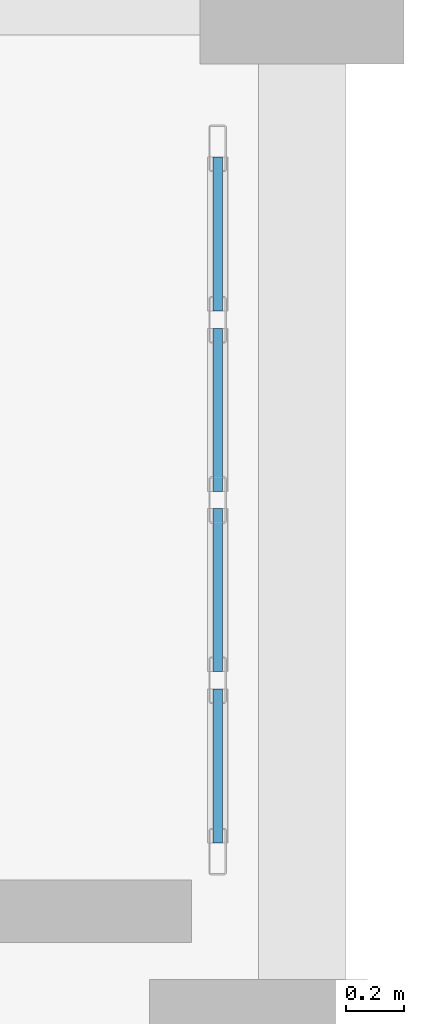
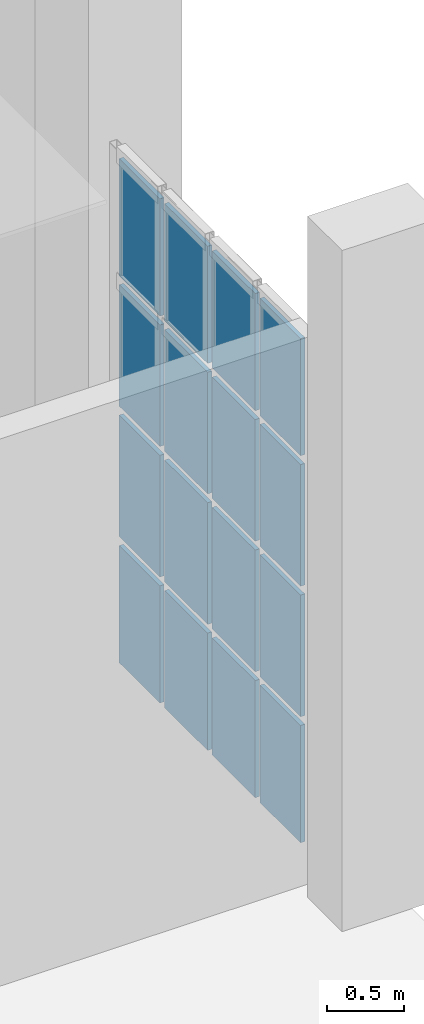
# One storey, part 346 of 372: 16 plates, 1 element without a shape of its own.
"""IFC4 building model written with IfcOpenShell, lengths in metres."""

import ifcopenshell
import ifcopenshell.guid

model = None  # the IFC model being written
_history = None  # IfcOwnerHistory: only IFC2X3 demands one
_inside = {}  # id of a spatial element -> (the spatial element, [elements in it])
_under = {}  # id of a project, library or spatial element -> (it, [spatial elements below it])
_declared = {}  # id of a project -> (the project, [libraries it declares])
_typed = {}  # id of a type object -> (the type object, [elements of that type])
_made_of = {}  # id of a material, layer set ... -> (it, [elements and type objects made of it])


def new_model(schema):
    """Start an empty IFC model of exactly this schema.

    Asked for "IFC4X3", IfcOpenShell would pick the latest addendum, in which some entities
    have other attributes; the version numbers below select the first issue.
    IFC2X3 requires an IfcOwnerHistory on every rooted entity: one is made here for all.
    """
    global model, _history
    if schema == "IFC4X3":
        model = ifcopenshell.file(schema_version=(4, 3, 0, 0))
    else:
        model = ifcopenshell.file(schema=schema)
    _inside.clear()
    _under.clear()
    _declared.clear()
    _typed.clear()
    _made_of.clear()
    _history = None
    if model.schema == "IFC2X3":
        org = make("IfcOrganization", Name="unknown")
        user = make(
            "IfcPersonAndOrganization",
            ThePerson=make("IfcPerson", FamilyName="unknown"),
            TheOrganization=org,
        )
        app = make(
            "IfcApplication",
            ApplicationDeveloper=org,
            Version="unknown",
            ApplicationFullName="unknown",
            ApplicationIdentifier="unknown",
        )
        _history = make(
            "IfcOwnerHistory",
            OwningUser=user,
            OwningApplication=app,
            ChangeAction="ADDED",
            CreationDate=0,
        )
    return model


def make(cls, **values):
    """One entity of the class cls with the attributes given. An attribute that is None is left unset."""
    return model.create_entity(
        cls, **{name: value for name, value in values.items() if value is not None}
    )


def rooted(cls, **values):
    """An entity with a GlobalId (a new one), such as an element, a storey or a relation."""
    return make(cls, GlobalId=ifcopenshell.guid.new(), OwnerHistory=_history, **values)


def si_unit(unit_type, name, prefix=None):
    """IfcSIUnit, for example si_unit("LENGTHUNIT", "METRE", prefix="MILLI")."""
    return make("IfcSIUnit", UnitType=unit_type, Prefix=prefix, Name=name)


def assignment(units):
    """IfcUnitAssignment: the units of a project."""
    return None if units is None else make("IfcUnitAssignment", Units=units)


def point(xyz):
    """IfcCartesianPoint."""
    return None if xyz is None else make("IfcCartesianPoint", Coordinates=xyz)


def direction(xyz):
    """IfcDirection."""
    return None if xyz is None else make("IfcDirection", DirectionRatios=xyz)


def frame(location, z_axis=None, x_axis=None):
    """IfcAxis2Placement3D, a coordinate frame: its origin and axes. An axis left out is left unset."""
    return make(
        "IfcAxis2Placement3D",
        Location=point(location),
        Axis=direction(z_axis),
        RefDirection=direction(x_axis),
    )


def frame_2d(location, x_axis=None):
    """IfcAxis2Placement2D, a coordinate frame in the plane: its origin and x axis."""
    return make(
        "IfcAxis2Placement2D", Location=point(location), RefDirection=direction(x_axis)
    )


def origin():
    """The frame at (0, 0, 0) with its axes left unset."""
    return frame((0.0, 0.0, 0.0))


def origin_2d():
    """The frame at (0, 0) in the plane with its x axis left unset."""
    return frame_2d((0.0, 0.0))


def place(relative_to, where):
    """IfcLocalPlacement: puts the frame where relative to a parent placement (None: the world)."""
    return make(
        "IfcLocalPlacement", PlacementRelTo=relative_to, RelativePlacement=where
    )


def context(
    kind, dimensions, precision=None, world=None, true_north=None, identifier=None
):
    """IfcGeometricRepresentationContext, for example the 3D "Model" context."""
    return make(
        "IfcGeometricRepresentationContext",
        ContextIdentifier=identifier,
        ContextType=kind,
        CoordinateSpaceDimension=dimensions,
        Precision=precision,
        WorldCoordinateSystem=world,
        TrueNorth=true_north,
    )


def subcontext(parent, identifier, kind, view, scale=None):
    """IfcGeometricRepresentationSubContext, for example "Body" below "Model"."""
    return make(
        "IfcGeometricRepresentationSubContext",
        ContextIdentifier=identifier,
        ContextType=kind,
        ParentContext=parent,
        TargetScale=scale,
        TargetView=view,
    )


def project(units=None, contexts=None):
    """IfcProject with its units and contexts."""
    return rooted(
        "IfcProject",
        Name="project",
        RepresentationContexts=contexts,
        UnitsInContext=assignment(units),
    )


def spatial(cls, under=None, at=None, **own):
    """A site, building, storey or space (cls), placed at a placement, below another one or the project."""
    s = rooted(cls, ObjectPlacement=at, **own)
    if under is not None:
        _under.setdefault(under.id(), (under, []))[1].append(s)
    return s


def profile(cls, at=None, kind="AREA", **sizes):
    """A parametric profile (cls). Its sizes go by their IFC names, for example OverallWidth=200.0."""
    return make(cls, ProfileType=kind, Position=at, **sizes)


def rectangle(**sizes):
    """IfcRectangleProfileDef."""
    return profile("IfcRectangleProfileDef", **sizes)


def extrude(swept, where, along, depth):
    """IfcExtrudedAreaSolid: the profile swept, set in the frame where, extruded along a direction by depth."""
    return make(
        "IfcExtrudedAreaSolid",
        SweptArea=swept,
        Position=where,
        ExtrudedDirection=direction(along),
        Depth=depth,
    )


def shape(context_of_items, identifier, shape_type, items):
    """IfcShapeRepresentation: the items that make up one representation, for example the "Body"."""
    return make(
        "IfcShapeRepresentation",
        ContextOfItems=context_of_items,
        RepresentationIdentifier=identifier,
        RepresentationType=shape_type,
        Items=items,
    )


def material(Name=None, Category=None):
    """IfcMaterial."""
    return make("IfcMaterial", Name=Name, Category=Category)


def layer(
    of_material, thickness, ventilated=None, Name=None, Category=None, Priority=None
):
    """IfcMaterialLayer: one layer of a wall or slab, of a material (None: an air gap)."""
    return make(
        "IfcMaterialLayer",
        Material=of_material,
        LayerThickness=thickness,
        IsVentilated=ventilated,
        Name=Name,
        Category=Category,
        Priority=Priority,
    )


def layer_set(layers, Name=None):
    """IfcMaterialLayerSet."""
    return make("IfcMaterialLayerSet", MaterialLayers=layers, LayerSetName=Name)


def made_of(thing, what):
    """Note that an element or type object is made of a material, layer set ...; save() writes the relation."""
    if what is not None:
        _made_of.setdefault(what.id(), (what, []))[1].append(thing)
    return thing


def type_object(cls, material=None, **own):
    """A type object (cls), such as IfcWallType, which elements share."""
    return made_of(rooted(cls, **own), material)


def element(
    cls,
    number,
    at=None,
    inside=None,
    cuts=None,
    type_object=None,
    material=None,
    context=None,
    identifier="Body",
    shape_type=None,
    held_by="IfcProductDefinitionShape",
    body=None,
    shapes=None,
    **own,
):
    """One element of the class cls, such as IfcWall. Its Tag is "e" and its number.

    at: its placement. inside: the storey or other place that contains it. cuts: it is an
    opening in that element (IfcRelVoidsElement). A single representation is given by context,
    identifier, shape_type and body (its items); several are given by shapes. held_by: the class
    of the entity that holds the representations. save() writes the other relations.
    """
    e = rooted(cls, Tag="e%d" % number, ObjectPlacement=at, **own)
    if body is not None:
        shapes = [shape(context, identifier, shape_type, body)]
    if shapes is not None:
        e.Representation = make(held_by, Representations=shapes)
    if inside is not None:
        _inside.setdefault(inside.id(), (inside, []))[1].append(e)
    if cuts is not None:
        rooted(
            "IfcRelVoidsElement", RelatingBuildingElement=cuts, RelatedOpeningElement=e
        )
    if type_object is not None:
        _typed.setdefault(type_object.id(), (type_object, []))[1].append(e)
    return made_of(e, material)


def aggregate(whole, parts):
    """IfcRelAggregates: a whole, such as a stair, and the parts it consists of."""
    return rooted("IfcRelAggregates", RelatingObject=whole, RelatedObjects=parts)


def save(model, path):
    """Write the relations noted so far, then the file.

    IfcRelAggregates (storeys below a building ...), IfcRelContainedInSpatialStructure (elements
    in a storey), IfcRelDefinesByType, IfcRelAssociatesMaterial and IfcRelDeclares: one each for
    every whole, place, type object, material and project.
    """
    for whole, parts in _under.values():
        aggregate(whole, parts)
    for where, things in _inside.values():
        rooted(
            "IfcRelContainedInSpatialStructure",
            RelatedElements=things,
            RelatingStructure=where,
        )
    for kind, things in _typed.values():
        rooted("IfcRelDefinesByType", RelatedObjects=things, RelatingType=kind)
    for what, things in _made_of.values():
        rooted("IfcRelAssociatesMaterial", RelatedObjects=things, RelatingMaterial=what)
    for by, libraries in _declared.values():
        rooted("IfcRelDeclares", RelatingContext=by, RelatedDefinitions=libraries)
    model.write(path)


model = new_model("IFC4")

# Units and contexts
model_context = context("Model", 3, precision=1e-05, world=origin(), true_north=direction((0.0, 1.0)))
body_context = subcontext(model_context, "Body", "Model", "MODEL_VIEW")
ifc_project = project(units=[si_unit("LENGTHUNIT", "METRE"), si_unit("AREAUNIT", "SQUARE_METRE"), si_unit("VOLUMEUNIT", "CUBIC_METRE"), si_unit("PLANEANGLEUNIT", "RADIAN"), si_unit("MASSUNIT", "GRAM", prefix="KILO")], contexts=[model_context])

# Site, building, storey
site_placement = place(None, origin())
site = spatial("IfcSite", under=ifc_project, at=site_placement, CompositionType="ELEMENT")
building_placement = place(site_placement, origin())
building = spatial("IfcBuilding", under=site, at=building_placement, Name="Kaelora Sail Theatre", CompositionType="ELEMENT")
storey_placement = place(building_placement, origin())
storey = spatial("IfcBuildingStorey", under=building, at=storey_placement, Name="L00", CompositionType="ELEMENT", Elevation=0.0)

# Curtain wall, plates
ifc_material_1 = material(Name="Anodised aluminium and solar-control low-E IGU", Category="aluminium")
curtain_wall_type = type_object("IfcCurtainWallType", Name="ARC-CW-CW-FOY1", PredefinedType="NOTDEFINED", material=ifc_material_1)
curtain_wall_placement = place(storey_placement, origin())
curtain_wall = element("IfcCurtainWall", 1, at=curtain_wall_placement, inside=storey, type_object=curtain_wall_type, Name="Glazed Colonnade/Courtyard Curtain Wall COLE-E-L00-15", PredefinedType="NOTDEFINED")
ifc_material_2 = material(Name="Solar-control laminated low-E glass", Category="glass")
ifc_layer = layer(ifc_material_2, 0.031982421875)
ifc_layer_set = layer_set([ifc_layer], Name="Solar-control laminated low-E glass")
plate_type = type_object("IfcPlateType", Name="ARC-CW-PNL", PredefinedType="CURTAIN_PANEL", material=ifc_layer_set)
plate_1_placement = place(storey_placement, frame((163.2099609375, 65.699462890625, 0.070068359375), z_axis=(0.0, 0.0, 1.0), x_axis=(0.0, 1.0, 0.0)))
plate_1 = element("IfcPlate", 2, at=plate_1_placement, type_object=plate_type, Name="CW-FOY1 panel 1.1", PredefinedType="CURTAIN_PANEL", context=body_context, shape_type="SweptSolid", body=[
    extrude(rectangle(XDim=0.52880859375, YDim=0.031982421875, at=origin_2d()), origin(), (0.0, 0.0, 1.0), 0.92919921875),
])
plate_2_placement = place(storey_placement, frame((163.2099609375, 65.699462890625, 1.069091796875), z_axis=(0.0, 0.0, 1.0), x_axis=(0.0, 1.0, 0.0)))
plate_2 = element("IfcPlate", 3, at=plate_2_placement, type_object=plate_type, Name="CW-FOY1 panel 1.2", PredefinedType="CURTAIN_PANEL", context=body_context, shape_type="SweptSolid", body=[
    extrude(rectangle(XDim=0.52880859375, YDim=0.031982421875, at=origin_2d()), origin(), (0.0, 0.0, 1.0), 0.96435546875),
])
plate_3_placement = place(storey_placement, frame((163.2099609375, 65.699462890625, 2.103515625), z_axis=(0.0, 0.0, 1.0), x_axis=(0.0, 1.0, 0.0)))
plate_3 = element("IfcPlate", 4, at=plate_3_placement, type_object=plate_type, Name="CW-FOY1 panel 1.3", PredefinedType="CURTAIN_PANEL", context=body_context, shape_type="SweptSolid", body=[
    extrude(rectangle(XDim=0.52880859375, YDim=0.031982421875, at=origin_2d()), origin(), (0.0, 0.0, 1.0), 0.964111328125),
])
plate_4_placement = place(storey_placement, frame((163.2099609375, 65.699462890625, 3.1376953125), z_axis=(0.0, 0.0, 1.0), x_axis=(0.0, 1.0, 0.0)))
plate_4 = element("IfcPlate", 5, at=plate_4_placement, type_object=plate_type, Name="CW-FOY1 panel 1.4", PredefinedType="CURTAIN_PANEL", context=body_context, shape_type="SweptSolid", body=[
    extrude(rectangle(XDim=0.52880859375, YDim=0.031982421875, at=origin_2d()), origin(), (0.0, 0.0, 1.0), 0.92919921875),
])
plate_5_placement = place(storey_placement, frame((163.2099609375, 66.30322265625, 0.070068359375), z_axis=(0.0, 0.0, 1.0), x_axis=(0.0, 1.0, 0.0)))
plate_5 = element("IfcPlate", 6, at=plate_5_placement, type_object=plate_type, Name="CW-FOY1 panel 2.1", PredefinedType="CURTAIN_PANEL", context=body_context, shape_type="SweptSolid", body=[
    extrude(rectangle(XDim=0.558837890625, YDim=0.031982421875, at=origin_2d()), origin(), (0.0, 0.0, 1.0), 0.92919921875),
])
plate_6_placement = place(storey_placement, frame((163.2099609375, 66.30322265625, 1.069091796875), z_axis=(0.0, 0.0, 1.0), x_axis=(0.0, 1.0, 0.0)))
plate_6 = element("IfcPlate", 7, at=plate_6_placement, type_object=plate_type, Name="CW-FOY1 panel 2.2", PredefinedType="CURTAIN_PANEL", context=body_context, shape_type="SweptSolid", body=[
    extrude(rectangle(XDim=0.558837890625, YDim=0.031982421875, at=origin_2d()), origin(), (0.0, 0.0, 1.0), 0.96435546875),
])
plate_7_placement = place(storey_placement, frame((163.2099609375, 66.30322265625, 2.103515625), z_axis=(0.0, 0.0, 1.0), x_axis=(0.0, 1.0, 0.0)))
plate_7 = element("IfcPlate", 8, at=plate_7_placement, type_object=plate_type, Name="CW-FOY1 panel 2.3", PredefinedType="CURTAIN_PANEL", context=body_context, shape_type="SweptSolid", body=[
    extrude(rectangle(XDim=0.558837890625, YDim=0.031982421875, at=origin_2d()), origin(), (0.0, 0.0, 1.0), 0.964111328125),
])
plate_8_placement = place(storey_placement, frame((163.2099609375, 66.30322265625, 3.1376953125), z_axis=(0.0, 0.0, 1.0), x_axis=(0.0, 1.0, 0.0)))
plate_8 = element("IfcPlate", 9, at=plate_8_placement, type_object=plate_type, Name="CW-FOY1 panel 2.4", PredefinedType="CURTAIN_PANEL", context=body_context, shape_type="SweptSolid", body=[
    extrude(rectangle(XDim=0.558837890625, YDim=0.031982421875, at=origin_2d()), origin(), (0.0, 0.0, 1.0), 0.92919921875),
])
plate_9_placement = place(storey_placement, frame((163.2099609375, 66.921875, 0.070068359375), z_axis=(0.0, 0.0, 1.0), x_axis=(0.0, 1.0, 0.0)))
plate_9 = element("IfcPlate", 10, at=plate_9_placement, type_object=plate_type, Name="CW-FOY1 panel 3.1", PredefinedType="CURTAIN_PANEL", context=body_context, shape_type="SweptSolid", body=[
    extrude(rectangle(XDim=0.558837890625, YDim=0.031982421875, at=origin_2d()), origin(), (0.0, 0.0, 1.0), 0.92919921875),
])
plate_10_placement = place(storey_placement, frame((163.2099609375, 66.921875, 1.069091796875), z_axis=(0.0, 0.0, 1.0), x_axis=(0.0, 1.0, 0.0)))
plate_10 = element("IfcPlate", 11, at=plate_10_placement, type_object=plate_type, Name="CW-FOY1 panel 3.2", PredefinedType="CURTAIN_PANEL", context=body_context, shape_type="SweptSolid", body=[
    extrude(rectangle(XDim=0.558837890625, YDim=0.031982421875, at=origin_2d()), origin(), (0.0, 0.0, 1.0), 0.96435546875),
])
plate_11_placement = place(storey_placement, frame((163.2099609375, 66.921875, 2.103515625), z_axis=(0.0, 0.0, 1.0), x_axis=(0.0, 1.0, 0.0)))
plate_11 = element("IfcPlate", 12, at=plate_11_placement, type_object=plate_type, Name="CW-FOY1 panel 3.3", PredefinedType="CURTAIN_PANEL", context=body_context, shape_type="SweptSolid", body=[
    extrude(rectangle(XDim=0.558837890625, YDim=0.031982421875, at=origin_2d()), origin(), (0.0, 0.0, 1.0), 0.964111328125),
])
plate_12_placement = place(storey_placement, frame((163.2099609375, 66.921875, 3.1376953125), z_axis=(0.0, 0.0, 1.0), x_axis=(0.0, 1.0, 0.0)))
plate_12 = element("IfcPlate", 13, at=plate_12_placement, type_object=plate_type, Name="CW-FOY1 panel 3.4", PredefinedType="CURTAIN_PANEL", context=body_context, shape_type="SweptSolid", body=[
    extrude(rectangle(XDim=0.558837890625, YDim=0.031982421875, at=origin_2d()), origin(), (0.0, 0.0, 1.0), 0.92919921875),
])
plate_13_placement = place(storey_placement, frame((163.2099609375, 67.525634765625, 0.070068359375), z_axis=(0.0, 0.0, 1.0), x_axis=(0.0, 1.0, 0.0)))
plate_13 = element("IfcPlate", 14, at=plate_13_placement, type_object=plate_type, Name="CW-FOY1 panel 4.1", PredefinedType="CURTAIN_PANEL", context=body_context, shape_type="SweptSolid", body=[
    extrude(rectangle(XDim=0.52880859375, YDim=0.031982421875, at=origin_2d()), origin(), (0.0, 0.0, 1.0), 0.92919921875),
])
plate_14_placement = place(storey_placement, frame((163.2099609375, 67.525634765625, 1.069091796875), z_axis=(0.0, 0.0, 1.0), x_axis=(0.0, 1.0, 0.0)))
plate_14 = element("IfcPlate", 15, at=plate_14_placement, type_object=plate_type, Name="CW-FOY1 panel 4.2", PredefinedType="CURTAIN_PANEL", context=body_context, shape_type="SweptSolid", body=[
    extrude(rectangle(XDim=0.52880859375, YDim=0.031982421875, at=origin_2d()), origin(), (0.0, 0.0, 1.0), 0.96435546875),
])
plate_15_placement = place(storey_placement, frame((163.2099609375, 67.525634765625, 2.103515625), z_axis=(0.0, 0.0, 1.0), x_axis=(0.0, 1.0, 0.0)))
plate_15 = element("IfcPlate", 16, at=plate_15_placement, type_object=plate_type, Name="CW-FOY1 panel 4.3", PredefinedType="CURTAIN_PANEL", context=body_context, shape_type="SweptSolid", body=[
    extrude(rectangle(XDim=0.52880859375, YDim=0.031982421875, at=origin_2d()), origin(), (0.0, 0.0, 1.0), 0.964111328125),
])
plate_16_placement = place(storey_placement, frame((163.2099609375, 67.525634765625, 3.1376953125), z_axis=(0.0, 0.0, 1.0), x_axis=(0.0, 1.0, 0.0)))
plate_16 = element("IfcPlate", 17, at=plate_16_placement, type_object=plate_type, Name="CW-FOY1 panel 4.4", PredefinedType="CURTAIN_PANEL", context=body_context, shape_type="SweptSolid", body=[
    extrude(rectangle(XDim=0.52880859375, YDim=0.031982421875, at=origin_2d()), origin(), (0.0, 0.0, 1.0), 0.92919921875),
])
aggregate(curtain_wall, [plate_1, plate_2, plate_3, plate_4, plate_5, plate_6, plate_7, plate_8, plate_9, plate_10, plate_11, plate_12, plate_13, plate_14, plate_15, plate_16])

save(model, "model.ifc")
